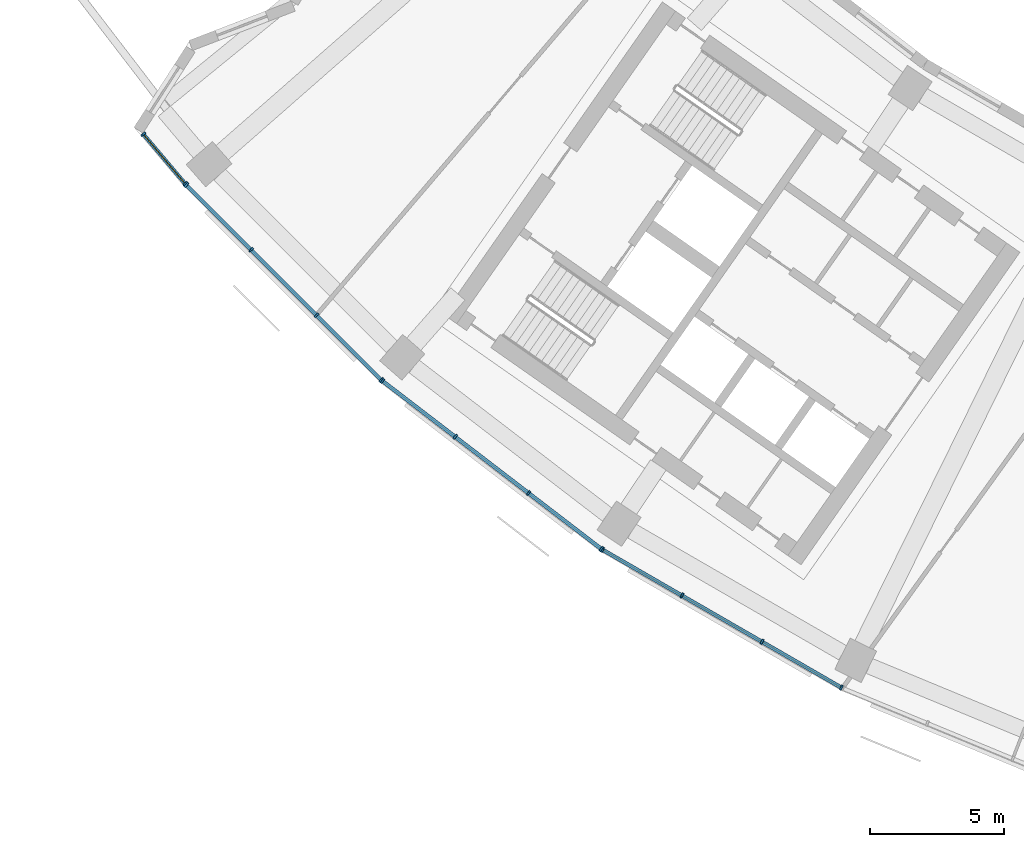
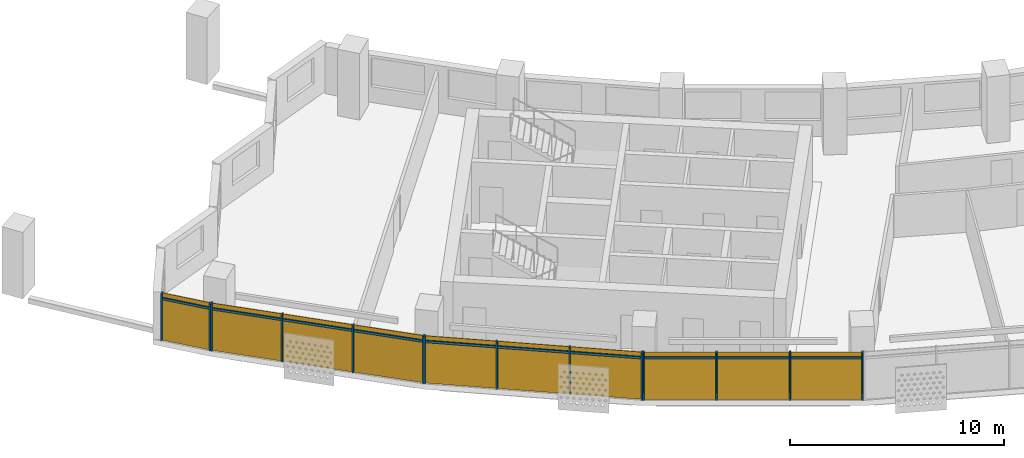
# One storey, part 18 of 27: 24 members, 4 curtain walls.
"""IFC4 building model written with IfcOpenShell, lengths in metres."""

from ifc_helpers import new_model, si_unit, direction, frame, origin, origin_2d, place, context, subcontext, project, spatial, rectangle, extrude, material, material_profile, profile_set, type_object, element, aggregate, save


model = new_model("IFC4")

# Units and contexts
model_context = context("Model", 3, precision=1e-05, world=origin(), true_north=direction((0.0, 1.0)))
body_context = subcontext(model_context, "Body", "Model", "MODEL_VIEW")
ifc_project = project(units=[si_unit("LENGTHUNIT", "METRE"), si_unit("AREAUNIT", "SQUARE_METRE"), si_unit("VOLUMEUNIT", "CUBIC_METRE"), si_unit("PLANEANGLEUNIT", "RADIAN"), si_unit("MASSUNIT", "GRAM", prefix="KILO")], contexts=[model_context])

# Member
ifc_material = material(Name="Aluminium 6063-T6 anodised", Category="aluminium")
ifc_material_profile_1 = material_profile(ifc_material, rectangle(XDim=0.199951171875, YDim=0.070068359375, at=origin_2d()))
ifc_profile_set_1 = profile_set([ifc_material_profile_1], Name="Aluminium 6063-T6 anodised")
member_type_1 = type_object("IfcMemberType", Name="Mullion 70 x 200 aluminium", PredefinedType="MULLION", material=ifc_profile_set_1)
site_placement = place(None, origin())
building_placement = place(site_placement, origin())
storey_placement = place(building_placement, frame((0.0, 0.0, 175.89990234375)))
member_1_placement = place(storey_placement, frame((-60.9033203125, -50.1494140625, 0.0), z_axis=(0.0, 0.0, 1.0), x_axis=(0.763709922042, 0.645559567332, 0.0)))
member_1 = element("IfcMember", 1, at=member_1_placement, type_object=member_type_1, Name="e-cw1-L41-out00/M00", PredefinedType="MULLION", context=body_context, shape_type="SweptSolid", body=[
    extrude(rectangle(XDim=0.199951171875, YDim=0.070068359375, at=origin_2d()), origin(), (0.0, 0.0, 1.0), 2.7001953125),
])

member_2_placement = place(storey_placement, frame((-59.341552734375, -51.9970703125, 0.0), z_axis=(0.0, 0.0, 1.0), x_axis=(0.763709922042, 0.645559567332, 0.0)))
member_2 = element("IfcMember", 2, at=member_2_placement, type_object=member_type_1, Name="e-cw1-L41-out00/M01", PredefinedType="MULLION", context=body_context, shape_type="SweptSolid", body=[
    extrude(rectangle(XDim=0.199951171875, YDim=0.070068359375, at=origin_2d()), origin(), (0.0, 0.0, 1.0), 2.7001953125),
])

member_3_placement = place(storey_placement, frame((-59.2998046875, -52.042236328125, 0.0), z_axis=(0.0, 0.0, 1.0), x_axis=(0.707106781187, 0.707106781187, 0.0)))
member_3 = element("IfcMember", 3, at=member_3_placement, type_object=member_type_1, Name="e-cw1-L41-out01/M00", PredefinedType="MULLION", context=body_context, shape_type="SweptSolid", body=[
    extrude(rectangle(XDim=0.199951171875, YDim=0.070068359375, at=origin_2d()), origin(), (0.0, 0.0, 1.0), 2.7001953125),
])

member_4_placement = place(storey_placement, frame((-56.888916015625, -54.453369140625, 0.0), z_axis=(0.0, 0.0, 1.0), x_axis=(0.707106781187, 0.707106781187, 0.0)))
member_4 = element("IfcMember", 4, at=member_4_placement, type_object=member_type_1, Name="e-cw1-L41-out01/M01", PredefinedType="MULLION", context=body_context, shape_type="SweptSolid", body=[
    extrude(rectangle(XDim=0.199951171875, YDim=0.070068359375, at=origin_2d()), origin(), (0.0, 0.0, 1.0), 2.7001953125),
])

member_5_placement = place(storey_placement, frame((-54.453369140625, -56.888916015625, 0.0), z_axis=(0.0, 0.0, 1.0), x_axis=(0.707106781187, 0.707106781187, 0.0)))
member_5 = element("IfcMember", 5, at=member_5_placement, type_object=member_type_1, Name="e-cw1-L41-out01/M02", PredefinedType="MULLION", context=body_context, shape_type="SweptSolid", body=[
    extrude(rectangle(XDim=0.199951171875, YDim=0.070068359375, at=origin_2d()), origin(), (0.0, 0.0, 1.0), 2.7001953125),
])

member_6_placement = place(storey_placement, frame((-52.042236328125, -59.2998046875, 0.0), z_axis=(0.0, 0.0, 1.0), x_axis=(0.707106781187, 0.707106781187, 0.0)))
member_6 = element("IfcMember", 6, at=member_6_placement, type_object=member_type_1, Name="e-cw1-L41-out01/M03", PredefinedType="MULLION", context=body_context, shape_type="SweptSolid", body=[
    extrude(rectangle(XDim=0.199951171875, YDim=0.070068359375, at=origin_2d()), origin(), (0.0, 0.0, 1.0), 2.7001953125),
])

member_7_placement = place(storey_placement, frame((-51.999755859375, -59.33740234375, 0.0), z_axis=(0.0, 0.0, 1.0), x_axis=(0.608761429009, 0.793353340291, 0.0)))
member_7 = element("IfcMember", 7, at=member_7_placement, type_object=member_type_1, Name="e-cw1-L41-out02/M00", PredefinedType="MULLION", context=body_context, shape_type="SweptSolid", body=[
    extrude(rectangle(XDim=0.199951171875, YDim=0.070068359375, at=origin_2d()), origin(), (0.0, 0.0, 1.0), 2.7001953125),
])

member_8_placement = place(storey_placement, frame((-49.294677734375, -61.412841796875, 0.0), z_axis=(0.0, 0.0, 1.0), x_axis=(0.608761429009, 0.793353340291, 0.0)))
member_8 = element("IfcMember", 8, at=member_8_placement, type_object=member_type_1, Name="e-cw1-L41-out02/M01", PredefinedType="MULLION", context=body_context, shape_type="SweptSolid", body=[
    extrude(rectangle(XDim=0.199951171875, YDim=0.070068359375, at=origin_2d()), origin(), (0.0, 0.0, 1.0), 2.7001953125),
])

member_9_placement = place(storey_placement, frame((-46.56201171875, -63.509765625, 0.0), z_axis=(0.0, 0.0, 1.0), x_axis=(0.608761429009, 0.793353340291, 0.0)))
member_9 = element("IfcMember", 9, at=member_9_placement, type_object=member_type_1, Name="e-cw1-L41-out02/M02", PredefinedType="MULLION", context=body_context, shape_type="SweptSolid", body=[
    extrude(rectangle(XDim=0.199951171875, YDim=0.070068359375, at=origin_2d()), origin(), (0.0, 0.0, 1.0), 2.7001953125),
])

member_10_placement = place(storey_placement, frame((-43.85693359375, -65.58544921875, 0.0), z_axis=(0.0, 0.0, 1.0), x_axis=(0.608761429009, 0.793353340291, 0.0)))
member_10 = element("IfcMember", 10, at=member_10_placement, type_object=member_type_1, Name="e-cw1-L41-out02/M03", PredefinedType="MULLION", context=body_context, shape_type="SweptSolid", body=[
    extrude(rectangle(XDim=0.199951171875, YDim=0.070068359375, at=origin_2d()), origin(), (0.0, 0.0, 1.0), 2.7001953125),
])

member_11_placement = place(storey_placement, frame((-43.809814453125, -65.616943359375, 0.0), z_axis=(0.0, 0.0, 1.0), x_axis=(0.5, 0.866025403784, 0.0)))
member_11 = element("IfcMember", 11, at=member_11_placement, type_object=member_type_1, Name="e-cw1-L41-out03/M00", PredefinedType="MULLION", context=body_context, shape_type="SweptSolid", body=[
    extrude(rectangle(XDim=0.199951171875, YDim=0.070068359375, at=origin_2d()), origin(), (0.0, 0.0, 1.0), 2.7001953125),
])

member_12_placement = place(storey_placement, frame((-40.85693359375, -67.32177734375, 0.0), z_axis=(0.0, 0.0, 1.0), x_axis=(0.5, 0.866025403784, 0.0)))
member_12 = element("IfcMember", 12, at=member_12_placement, type_object=member_type_1, Name="e-cw1-L41-out03/M01", PredefinedType="MULLION", context=body_context, shape_type="SweptSolid", body=[
    extrude(rectangle(XDim=0.199951171875, YDim=0.070068359375, at=origin_2d()), origin(), (0.0, 0.0, 1.0), 2.7001953125),
])

member_13_placement = place(storey_placement, frame((-37.873779296875, -69.0439453125, 0.0), z_axis=(0.0, 0.0, 1.0), x_axis=(0.5, 0.866025403784, 0.0)))
member_13 = element("IfcMember", 13, at=member_13_placement, type_object=member_type_1, Name="e-cw1-L41-out03/M02", PredefinedType="MULLION", context=body_context, shape_type="SweptSolid", body=[
    extrude(rectangle(XDim=0.199951171875, YDim=0.070068359375, at=origin_2d()), origin(), (0.0, 0.0, 1.0), 2.7001953125),
])

member_14_placement = place(storey_placement, frame((-34.921142578125, -70.748779296875, 0.0), z_axis=(0.0, 0.0, 1.0), x_axis=(0.5, 0.866025403784, 0.0)))
member_14 = element("IfcMember", 14, at=member_14_placement, type_object=member_type_1, Name="e-cw1-L41-out03/M03", PredefinedType="MULLION", context=body_context, shape_type="SweptSolid", body=[
    extrude(rectangle(XDim=0.199951171875, YDim=0.070068359375, at=origin_2d()), origin(), (0.0, 0.0, 1.0), 2.7001953125),
])

ifc_material_profile_2 = material_profile(ifc_material, rectangle(XDim=0.139892578125, YDim=0.1201171875, at=origin_2d()))
ifc_profile_set_2 = profile_set([ifc_material_profile_2], Name="Aluminium 6063-T6 anodised")
member_type_2 = type_object("IfcMemberType", Name="Transom 120 x 140 aluminium", PredefinedType="USERDEFINED", material=ifc_profile_set_2)
member_15_placement = place(storey_placement, frame((-60.880859375, -50.176025390625, 2.400146484375), z_axis=(0.645555501868, -0.763713358537, 0.0), x_axis=(0.763713358537, 0.645555501868, 0.0)))
member_15 = element("IfcMember", 15, at=member_15_placement, type_object=member_type_2, Name="e-cw1-L41-out00/T00", ObjectType="TRANSOM", PredefinedType="USERDEFINED", context=body_context, shape_type="SweptSolid", body=[
    extrude(rectangle(XDim=0.139892578125, YDim=0.1201171875, at=origin_2d()), origin(), (0.0, 0.0, 1.0), 2.349365234375),
])

member_16_placement = place(storey_placement, frame((-59.275146484375, -52.067138671875, 2.400146484375), z_axis=(0.707106781187, -0.707106781187, 0.0), x_axis=(0.707106781187, 0.707106781187, 0.0)))
member_16 = element("IfcMember", 16, at=member_16_placement, type_object=member_type_2, Name="e-cw1-L41-out01/T00", ObjectType="TRANSOM", PredefinedType="USERDEFINED", context=body_context, shape_type="SweptSolid", body=[
    extrude(rectangle(XDim=0.139892578125, YDim=0.1201171875, at=origin_2d()), origin(), (0.0, 0.0, 1.0), 3.33935546875),
])

member_17_placement = place(storey_placement, frame((-56.8642578125, -54.47802734375, 2.400146484375), z_axis=(0.707106781187, -0.707106781187, 0.0), x_axis=(0.707106781187, 0.707106781187, 0.0)))
member_17 = element("IfcMember", 17, at=member_17_placement, type_object=member_type_2, Name="e-cw1-L41-out01/T01", ObjectType="TRANSOM", PredefinedType="USERDEFINED", context=body_context, shape_type="SweptSolid", body=[
    extrude(rectangle(XDim=0.139892578125, YDim=0.1201171875, at=origin_2d()), origin(), (0.0, 0.0, 1.0), 3.374755859375),
])

member_18_placement = place(storey_placement, frame((-54.428466796875, -56.913818359375, 2.400146484375), z_axis=(0.707106781187, -0.707106781187, 0.0), x_axis=(0.707106781187, 0.707106781187, 0.0)))
member_18 = element("IfcMember", 18, at=member_18_placement, type_object=member_type_2, Name="e-cw1-L41-out01/T02", ObjectType="TRANSOM", PredefinedType="USERDEFINED", context=body_context, shape_type="SweptSolid", body=[
    extrude(rectangle(XDim=0.139892578125, YDim=0.1201171875, at=origin_2d()), origin(), (0.0, 0.0, 1.0), 3.33935546875),
])

member_19_placement = place(storey_placement, frame((-51.971923828125, -59.358642578125, 2.400146484375), z_axis=(0.793354486861, -0.608759934767, 0.0), x_axis=(0.608759934767, 0.793354486861, 0.0)))
member_19 = element("IfcMember", 19, at=member_19_placement, type_object=member_type_2, Name="e-cw1-L41-out02/T00", ObjectType="TRANSOM", PredefinedType="USERDEFINED", context=body_context, shape_type="SweptSolid", body=[
    extrude(rectangle(XDim=0.139892578125, YDim=0.1201171875, at=origin_2d()), origin(), (0.0, 0.0, 1.0), 3.339599609375),
])

member_20_placement = place(storey_placement, frame((-49.266845703125, -61.434326171875, 2.400146484375), z_axis=(0.793371081522, -0.608738307489, 0.0), x_axis=(0.608738307489, 0.793371081522, 0.0)))
member_20 = element("IfcMember", 20, at=member_20_placement, type_object=member_type_2, Name="e-cw1-L41-out02/T01", ObjectType="TRANSOM", PredefinedType="USERDEFINED", context=body_context, shape_type="SweptSolid", body=[
    extrude(rectangle(XDim=0.139892578125, YDim=0.1201171875, at=origin_2d()), origin(), (0.0, 0.0, 1.0), 3.37451171875),
])

member_21_placement = place(storey_placement, frame((-46.5341796875, -63.53125, 2.400146484375), z_axis=(0.793354486861, -0.608759934767, 0.0), x_axis=(0.608759934767, 0.793354486861, 0.0)))
member_21 = element("IfcMember", 21, at=member_21_placement, type_object=member_type_2, Name="e-cw1-L41-out02/T02", ObjectType="TRANSOM", PredefinedType="USERDEFINED", context=body_context, shape_type="SweptSolid", body=[
    extrude(rectangle(XDim=0.139892578125, YDim=0.1201171875, at=origin_2d()), origin(), (0.0, 0.0, 1.0), 3.339599609375),
])

member_22_placement = place(storey_placement, frame((-43.779541015625, -65.634521484375, 2.400146484375), z_axis=(0.866052898888, -0.49995237406, 0.0), x_axis=(0.49995237406, 0.866052898888, 0.0)))
member_22 = element("IfcMember", 22, at=member_22_placement, type_object=member_type_2, Name="e-cw1-L41-out03/T00", ObjectType="TRANSOM", PredefinedType="USERDEFINED", context=body_context, shape_type="SweptSolid", body=[
    extrude(rectangle(XDim=0.139892578125, YDim=0.1201171875, at=origin_2d()), origin(), (0.0, 0.0, 1.0), 3.339599609375),
])

member_23_placement = place(storey_placement, frame((-40.82666015625, -67.33935546875, 2.400146484375), z_axis=(0.86602172966, -0.500006363716, 0.0), x_axis=(0.500006363716, 0.86602172966, 0.0)))
member_23 = element("IfcMember", 23, at=member_23_placement, type_object=member_type_2, Name="e-cw1-L41-out03/T01", ObjectType="TRANSOM", PredefinedType="USERDEFINED", context=body_context, shape_type="SweptSolid", body=[
    extrude(rectangle(XDim=0.139892578125, YDim=0.1201171875, at=origin_2d()), origin(), (0.0, 0.0, 1.0), 3.37451171875),
])

member_24_placement = place(storey_placement, frame((-37.843505859375, -69.0615234375, 2.400146484375), z_axis=(0.866002968352, -0.500038857296, 0.0), x_axis=(0.500038857296, 0.866002968352, 0.0)))
member_24 = element("IfcMember", 24, at=member_24_placement, type_object=member_type_2, Name="e-cw1-L41-out03/T02", ObjectType="TRANSOM", PredefinedType="USERDEFINED", context=body_context, shape_type="SweptSolid", body=[
    extrude(rectangle(XDim=0.139892578125, YDim=0.1201171875, at=origin_2d()), origin(), (0.0, 0.0, 1.0), 3.339599609375),
])

# Site, building, storey
site = spatial("IfcSite", under=ifc_project, at=site_placement, CompositionType="ELEMENT")
building = spatial("IfcBuilding", under=site, at=building_placement, Name="Qamariyya Broadcast Tower", CompositionType="ELEMENT")
storey = spatial("IfcBuildingStorey", under=building, at=storey_placement, Name="L41", CompositionType="ELEMENT", Elevation=175.89990234375)

# Curtain wall
curtain_wall_type = type_object("IfcCurtainWallType", Name="Unitised curtain wall, anodised aluminium", PredefinedType="NOTDEFINED", material=ifc_material)
curtain_wall_1_placement = place(storey_placement, origin())
curtain_wall_1 = element("IfcCurtainWall", 25, at=curtain_wall_1_placement, inside=storey, type_object=curtain_wall_type, Name="e-cw1-L41-out00", PredefinedType="NOTDEFINED", context=body_context, shape_type="SweptSolid", body=[
    extrude(rectangle(XDim=2.34912109375, YDim=0.031982421875, at=origin_2d()), frame((-60.12255859375, -51.0732421875, 0.0), x_axis=(0.645590422541, -0.763683839244, 0.0)), (0.0, 0.0, 1.0), 2.340087890625),
    extrude(rectangle(XDim=2.34912109375, YDim=0.031982421875, at=origin_2d()), frame((-60.12255859375, -51.0732421875, 2.460205078125), x_axis=(0.645590422541, -0.763683839244, 0.0)), (0.0, 0.0, 1.0), 0.239990234375),
])

aggregate(curtain_wall_1, [member_1, member_2, member_15])

curtain_wall_2_placement = place(storey_placement, origin())
curtain_wall_2 = element("IfcCurtainWall", 26, at=curtain_wall_2_placement, inside=storey, type_object=curtain_wall_type, Name="e-cw1-L41-out01", PredefinedType="NOTDEFINED", context=body_context, shape_type="SweptSolid", body=[
    extrude(rectangle(XDim=3.339599609375, YDim=0.031982421875, at=origin_2d()), frame((-58.094482421875, -53.247802734375, 0.0), x_axis=(0.707106781187, -0.707106781187, 0.0)), (0.0, 0.0, 1.0), 2.340087890625),
    extrude(rectangle(XDim=3.339599609375, YDim=0.031982421875, at=origin_2d()), frame((-58.094482421875, -53.247802734375, 2.460205078125), x_axis=(0.707106781187, -0.707106781187, 0.0)), (0.0, 0.0, 1.0), 0.239990234375),
    extrude(rectangle(XDim=3.37451171875, YDim=0.031982421875, at=origin_2d()), frame((-55.671142578125, -55.671142578125, 0.0), x_axis=(0.707106781187, -0.707106781187, 0.0)), (0.0, 0.0, 1.0), 2.340087890625),
    extrude(rectangle(XDim=3.37451171875, YDim=0.031982421875, at=origin_2d()), frame((-55.671142578125, -55.671142578125, 2.460205078125), x_axis=(0.707106781187, -0.707106781187, 0.0)), (0.0, 0.0, 1.0), 0.239990234375),
    extrude(rectangle(XDim=3.339599609375, YDim=0.031982421875, at=origin_2d()), frame((-53.247802734375, -58.094482421875, 0.0), x_axis=(0.707106781187, -0.707106781187, 0.0)), (0.0, 0.0, 1.0), 2.340087890625),
    extrude(rectangle(XDim=3.339599609375, YDim=0.031982421875, at=origin_2d()), frame((-53.247802734375, -58.094482421875, 2.460205078125), x_axis=(0.707106781187, -0.707106781187, 0.0)), (0.0, 0.0, 1.0), 0.239990234375),
])

aggregate(curtain_wall_2, [member_3, member_4, member_5, member_6, member_16, member_17, member_18])

curtain_wall_3_placement = place(storey_placement, origin())
curtain_wall_3 = element("IfcCurtainWall", 27, at=curtain_wall_3_placement, inside=storey, type_object=curtain_wall_type, Name="e-cw1-L41-out02", PredefinedType="NOTDEFINED", context=body_context, shape_type="SweptSolid", body=[
    extrude(rectangle(XDim=3.339599609375, YDim=0.031982421875, at=origin_2d()), frame((-50.64697265625, -60.375, 0.0), x_axis=(0.793351517557, -0.608763804434, 0.0)), (0.0, 0.0, 1.0), 2.340087890625),
    extrude(rectangle(XDim=3.339599609375, YDim=0.031982421875, at=origin_2d()), frame((-50.64697265625, -60.375, 2.460205078125), x_axis=(0.793351517557, -0.608763804434, 0.0)), (0.0, 0.0, 1.0), 0.239990234375),
    extrude(rectangle(XDim=3.37451171875, YDim=0.031982421875, at=origin_2d()), frame((-47.92822265625, -62.46142578125, 0.0), x_axis=(0.793351517557, -0.608763804434, 0.0)), (0.0, 0.0, 1.0), 2.340087890625),
    extrude(rectangle(XDim=3.37451171875, YDim=0.031982421875, at=origin_2d()), frame((-47.92822265625, -62.46142578125, 2.460205078125), x_axis=(0.793351517557, -0.608763804434, 0.0)), (0.0, 0.0, 1.0), 0.239990234375),
    extrude(rectangle(XDim=3.339599609375, YDim=0.031982421875, at=origin_2d()), frame((-45.20947265625, -64.547607421875, 0.0), x_axis=(0.793351517557, -0.608763804434, 0.0)), (0.0, 0.0, 1.0), 2.340087890625),
    extrude(rectangle(XDim=3.339599609375, YDim=0.031982421875, at=origin_2d()), frame((-45.20947265625, -64.547607421875, 2.460205078125), x_axis=(0.793351517557, -0.608763804434, 0.0)), (0.0, 0.0, 1.0), 0.239990234375),
])

aggregate(curtain_wall_3, [member_7, member_8, member_9, member_10, member_19, member_20, member_21])

curtain_wall_4_placement = place(storey_placement, origin())
curtain_wall_4 = element("IfcCurtainWall", 28, at=curtain_wall_4_placement, inside=storey, type_object=curtain_wall_type, Name="e-cw1-L41-out03", PredefinedType="NOTDEFINED", context=body_context, shape_type="SweptSolid", body=[
    extrude(rectangle(XDim=3.339599609375, YDim=0.031982421875, at=origin_2d()), frame((-42.33349609375, -66.469482421875, 0.0), x_axis=(0.866028999376, -0.499993772201, 0.0)), (0.0, 0.0, 1.0), 2.340087890625),
    extrude(rectangle(XDim=3.339599609375, YDim=0.031982421875, at=origin_2d()), frame((-42.33349609375, -66.469482421875, 2.460205078125), x_axis=(0.866028999376, -0.499993772201, 0.0)), (0.0, 0.0, 1.0), 0.239990234375),
    extrude(rectangle(XDim=3.37451171875, YDim=0.031982421875, at=origin_2d()), frame((-39.365478515625, -68.18310546875, 0.0), x_axis=(0.866028999376, -0.499993772201, 0.0)), (0.0, 0.0, 1.0), 2.340087890625),
    extrude(rectangle(XDim=3.37451171875, YDim=0.031982421875, at=origin_2d()), frame((-39.365478515625, -68.18310546875, 2.460205078125), x_axis=(0.866028999376, -0.499993772201, 0.0)), (0.0, 0.0, 1.0), 0.239990234375),
    extrude(rectangle(XDim=3.339599609375, YDim=0.031982421875, at=origin_2d()), frame((-36.3974609375, -69.896484375, 0.0), x_axis=(0.866028999376, -0.499993772201, 0.0)), (0.0, 0.0, 1.0), 2.340087890625),
    extrude(rectangle(XDim=3.339599609375, YDim=0.031982421875, at=origin_2d()), frame((-36.3974609375, -69.896484375, 2.460205078125), x_axis=(0.866028999376, -0.499993772201, 0.0)), (0.0, 0.0, 1.0), 0.239990234375),
])

aggregate(curtain_wall_4, [member_11, member_12, member_13, member_14, member_22, member_23, member_24])

save(model, "model.ifc")
